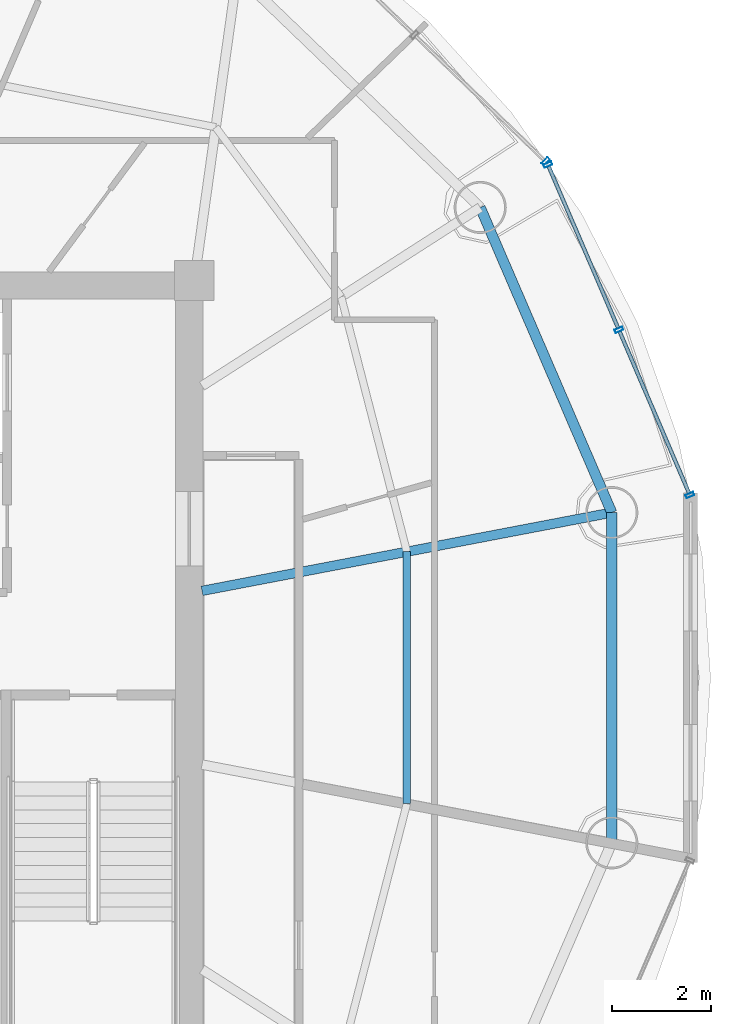
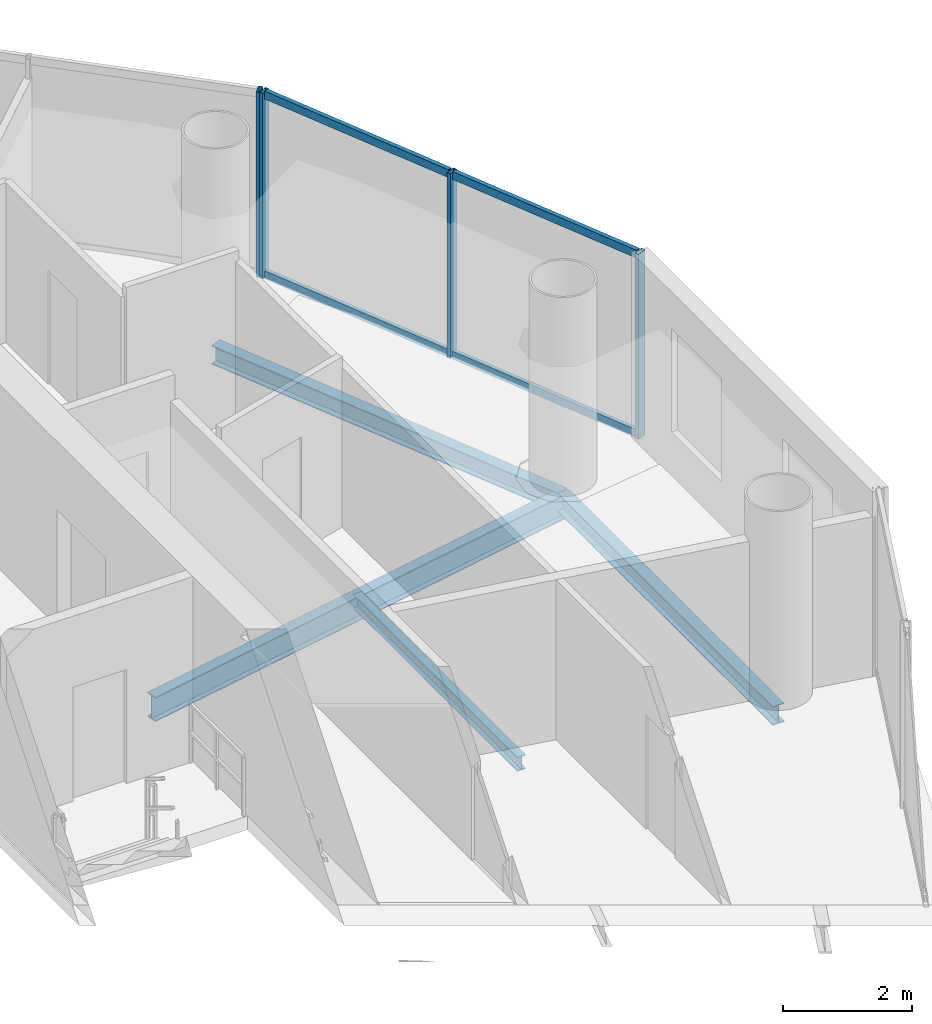
# One storey, part 11 of 23: 8 members, 4 beams, 2 elements without a shape of their own.
"""IFC4 building model written with IfcOpenShell, lengths in metres."""

from ifc_helpers import new_model, si_unit, direction, frame, origin, origin_2d, place, context, subcontext, project, spatial, hollow_rectangle, i_section, extrude, source, transform, mapped, material, material_profile, profile_set, type_object, element, aggregate, save


model = new_model("IFC4")

# Units and contexts
model_context = context("Model", 3, precision=1e-05, world=origin(), true_north=direction((-0.2419218956, 0.970295726276)))
body_context = subcontext(model_context, "Body", "Model", "MODEL_VIEW")
ifc_project = project(units=[si_unit("LENGTHUNIT", "METRE"), si_unit("AREAUNIT", "SQUARE_METRE"), si_unit("VOLUMEUNIT", "CUBIC_METRE"), si_unit("PLANEANGLEUNIT", "RADIAN"), si_unit("MASSUNIT", "GRAM", prefix="KILO")], contexts=[model_context])

# Site, building, storey
site_placement = place(None, origin())
site = spatial("IfcSite", under=ifc_project, at=site_placement, CompositionType="ELEMENT")
building_placement = place(site_placement, origin())
building = spatial("IfcBuilding", under=site, at=building_placement, Name="Cobrevalo Terracotta Tower", CompositionType="ELEMENT")
storey_placement = place(building_placement, frame((0.0, 0.0, 263.199951171875)))
storey = spatial("IfcBuildingStorey", under=building, at=storey_placement, Name="L69", CompositionType="ELEMENT", Elevation=263.199951171875)

# Beams
ifc_material_1 = material(Name="Steel S355", Category="steel")
ifc_material_profile_1 = material_profile(ifc_material_1, i_section(OverallWidth=0.19091796875, OverallDepth=0.4599609375, WebThickness=0.010009765625, FlangeThickness=0.01611328125, at=origin_2d()), Name="W 460x82")
ifc_profile_set_1 = profile_set([ifc_material_profile_1], Name="Steel S355")
beam_type_1 = type_object("IfcBeamType", Name="Structural Beam W 460x82 (Steel S355)", PredefinedType="BEAM", material=ifc_profile_set_1)
beam_1_placement = place(storey_placement, frame((55.408935546875, 30.126220703125, -0.489990234375), z_axis=(-0.982234917636, -0.187655446433, 0.0), x_axis=(0.187655446433, -0.982234917636, 0.0)))
element("IfcBeam", 1, at=beam_1_placement, inside=storey, type_object=beam_type_1, Name="L69 radial floor girder 01", PredefinedType="BEAM", context=body_context, shape_type="SweptSolid", body=[
    extrude(i_section(OverallWidth=0.19091796875, OverallDepth=0.4599609375, WebThickness=0.010009765625, FlangeThickness=0.01611328125, at=origin_2d()), origin(), (0.0, 0.0, 1.0), 8.403076171875),
])
ifc_material_profile_2 = material_profile(ifc_material_1, i_section(OverallWidth=0.14794921875, OverallDepth=0.26611328125, WebThickness=0.007568359375, FlangeThickness=0.012939453125, at=origin_2d()), Name="W 250x44.8")
ifc_profile_set_2 = profile_set([ifc_material_profile_2], Name="Steel S355")
beam_type_2 = type_object("IfcBeamType", Name="Structural Joist W 250x44.8 (Steel S355)", PredefinedType="JOIST", material=ifc_profile_set_2)
beam_2_placement = place(storey_placement, frame((51.281982421875, 24.26220703125, -0.39306640625), z_axis=(0.0, 1.0, 0.0), x_axis=(-1.0, 0.0, 0.0)))
element("IfcBeam", 2, at=beam_2_placement, inside=storey, type_object=beam_type_2, Name="L69 circumferential secondary floor joist 16", PredefinedType="JOIST", context=body_context, shape_type="SweptSolid", body=[
    extrude(i_section(OverallWidth=0.14794921875, OverallDepth=0.26611328125, WebThickness=0.007568359375, FlangeThickness=0.012939453125, at=origin_2d()), origin(), (0.0, 0.0, 1.0), 5.075439453125),
])
ifc_material_profile_3 = material_profile(ifc_material_1, i_section(OverallWidth=0.205078125, OverallDepth=0.35400390625, WebThickness=0.009521484375, FlangeThickness=0.016845703125, at=origin_2d()), Name="W 360x79")
ifc_profile_set_3 = profile_set([ifc_material_profile_3], Name="Steel S355")
beam_type_3 = type_object("IfcBeamType", Name="Structural Spandrel W 360x79 (Steel S355)", PredefinedType="SPANDREL", material=ifc_profile_set_3)
beam_3_placement = place(storey_placement, frame((55.408935546875, 30.126220703125, -0.43701171875), z_axis=(-0.395974127655, 0.918261667624, 0.0), x_axis=(-0.918261667624, -0.395974127655, 0.0)))
element("IfcBeam", 3, at=beam_3_placement, inside=storey, type_object=beam_type_3, Name="L69 perimeter ring spandrel 01", PredefinedType="SPANDREL", context=body_context, shape_type="SweptSolid", body=[
    extrude(i_section(OverallWidth=0.205078125, OverallDepth=0.35400390625, WebThickness=0.009521484375, FlangeThickness=0.016845703125, at=origin_2d()), origin(), (0.0, 0.0, 1.0), 6.693359375),
])
beam_4_placement = place(storey_placement, frame((55.408935546875, 23.4736328125, -0.43701171875), z_axis=(0.0, 1.0, 0.0), x_axis=(-1.0, 0.0, 0.0)))
element("IfcBeam", 4, at=beam_4_placement, inside=storey, type_object=beam_type_3, Name="L69 perimeter ring spandrel 16", PredefinedType="SPANDREL", context=body_context, shape_type="SweptSolid", body=[
    extrude(i_section(OverallWidth=0.205078125, OverallDepth=0.35400390625, WebThickness=0.009521484375, FlangeThickness=0.016845703125, at=origin_2d()), origin(), (0.0, 0.0, 1.0), 6.652587890625),
])

# Curtain wall, members
ifc_material_2 = material(Name="Anodized aluminium", Category="aluminium")
curtain_wall_type = type_object("IfcCurtainWallType", Name="Upper-tower triple-glazed penthouse curtain wall CW-U3", PredefinedType="NOTDEFINED", material=ifc_material_2)
curtain_wall_1_placement = place(storey_placement, origin())
curtain_wall_1 = element("IfcCurtainWall", 5, at=curtain_wall_1_placement, inside=storey, type_object=curtain_wall_type, Name="L69 curtain wall CW-L69-S01", PredefinedType="NOTDEFINED")
ifc_material_profile_4 = material_profile(ifc_material_2, hollow_rectangle(XDim=0.070068359375, YDim=0.169921875, WallThickness=0.00439453125, at=origin_2d()), Name="CWM 70x170")
ifc_profile_set_4 = profile_set([ifc_material_profile_4], Name="Anodized aluminium")
member_type_1 = type_object("IfcMemberType", Name="Upper tower unitised mullion 70x170", PredefinedType="MULLION", material=ifc_profile_set_4)
shared_shape_1 = source(origin(), body_context, "Body", "SweptSolid", [
    extrude(hollow_rectangle(XDim=0.070068359375, YDim=0.169921875, WallThickness=0.00439453125, at=origin_2d()), origin(), (0.0, 0.0, 1.0), 3.489990234375),
])
member_1_placement = place(storey_placement, frame((56.98193359375, 30.47900390625, 0.0), z_axis=(0.0, 0.0, 1.0), x_axis=(-0.39482403454, 0.91875675875, 0.0)))
member_1 = element("IfcMember", 6, at=member_1_placement, type_object=member_type_1, Name="CW-L69-S01 vertical mullion 01", PredefinedType="MULLION", context=body_context, shape_type="MappedRepresentation", body=[
    mapped(shared_shape_1, transform((0.0, 0.0, 0.0), scale=1.0)),
])
member_2_placement = place(storey_placement, frame((55.5517578125, 33.807373046875, 0.0), z_axis=(0.0, 0.0, 1.0), x_axis=(-0.39482403454, 0.91875675875, 0.0)))
member_2 = element("IfcMember", 7, at=member_2_placement, type_object=member_type_1, Name="CW-L69-S01 vertical mullion 02", PredefinedType="MULLION", context=body_context, shape_type="MappedRepresentation", body=[
    mapped(shared_shape_1, transform((0.0, 0.0, 0.0), scale=1.0)),
])
member_3_placement = place(storey_placement, frame((54.121337890625, 37.1357421875, 0.0), z_axis=(0.0, 0.0, 1.0), x_axis=(-0.39482403454, 0.91875675875, 0.0)))
member_3 = element("IfcMember", 8, at=member_3_placement, type_object=member_type_1, Name="CW-L69-S01 vertical mullion 03", PredefinedType="MULLION", context=body_context, shape_type="MappedRepresentation", body=[
    mapped(shared_shape_1, transform((0.0, 0.0, 0.0), scale=1.0)),
])

# Curtain wall, member
curtain_wall_2_placement = place(storey_placement, origin())
curtain_wall_2 = element("IfcCurtainWall", 9, at=curtain_wall_2_placement, inside=storey, type_object=curtain_wall_type, Name="L69 curtain wall CW-L69-S02", PredefinedType="NOTDEFINED")
member_4_placement = place(storey_placement, frame((54.07666015625, 37.2001953125, 0.0), z_axis=(0.0, 0.0, 1.0), x_axis=(-0.71999418085, 0.69398010025, 0.0)))
member_4 = element("IfcMember", 10, at=member_4_placement, type_object=member_type_1, Name="CW-L69-S02 vertical mullion 01", PredefinedType="MULLION", context=body_context, shape_type="MappedRepresentation", body=[
    mapped(shared_shape_1, transform((0.0, 0.0, 0.0), scale=1.0)),
])
aggregate(curtain_wall_2, [member_4])

# Member
ifc_material_profile_5 = material_profile(ifc_material_2, hollow_rectangle(XDim=0.074951171875, YDim=0.14990234375, WallThickness=0.00439453125, at=origin_2d()), Name="CWT 75x150")
ifc_profile_set_5 = profile_set([ifc_material_profile_5], Name="Anodized aluminium")
member_type_2 = type_object("IfcMemberType", Name="Tower unitised aluminium transom 75x150", PredefinedType="USERDEFINED", material=ifc_profile_set_5)
shared_shape_2 = source(origin(), body_context, "Body", "SweptSolid", [
    extrude(hollow_rectangle(XDim=0.074951171875, YDim=0.14990234375, WallThickness=0.00439453125, at=origin_2d()), origin(), (0.0, 0.0, 1.0), 3.54248046875),
])
member_5_placement = place(storey_placement, frame((55.535888671875, 33.84423828125, 0.050048828125), z_axis=(-0.394834055841, 0.918752452159, 0.0), x_axis=(-0.918752452159, -0.394834055841, 0.0)))
member_5 = element("IfcMember", 11, at=member_5_placement, type_object=member_type_2, Name="CW-L69-S01 transom B02-T1", ObjectType="TRANSOM", PredefinedType="USERDEFINED", context=body_context, shape_type="MappedRepresentation", body=[
    mapped(shared_shape_2, transform((0.0, 0.0, 0.0), scale=1.0)),
])

member_6_placement = place(storey_placement, frame((55.535888671875, 33.84423828125, 3.43994140625), z_axis=(-0.394834055841, 0.918752452159, 0.0), x_axis=(-0.918752452159, -0.394834055841, 0.0)))
member_6 = element("IfcMember", 12, at=member_6_placement, type_object=member_type_2, Name="CW-L69-S01 transom B02-T2", ObjectType="TRANSOM", PredefinedType="USERDEFINED", context=body_context, shape_type="MappedRepresentation", body=[
    mapped(shared_shape_2, transform((0.0, 0.0, 0.0), scale=1.0)),
])

shared_shape_3 = source(origin(), body_context, "Body", "SweptSolid", [
    extrude(hollow_rectangle(XDim=0.074951171875, YDim=0.14990234375, WallThickness=0.00439453125, at=origin_2d()), origin(), (0.0, 0.0, 1.0), 3.542724609375),
])
member_7_placement = place(storey_placement, frame((56.96630859375, 30.515869140625, 0.050048828125), z_axis=(-0.394867226589, 0.918738196314, 0.0), x_axis=(-0.918738196314, -0.394867226589, 0.0)))
member_7 = element("IfcMember", 13, at=member_7_placement, type_object=member_type_2, Name="CW-L69-S01 transom B01-T1", ObjectType="TRANSOM", PredefinedType="USERDEFINED", context=body_context, shape_type="MappedRepresentation", body=[
    mapped(shared_shape_3, transform((0.0, 0.0, 0.0), scale=1.0)),
])

member_8_placement = place(storey_placement, frame((56.96630859375, 30.515869140625, 3.43994140625), z_axis=(-0.394867226589, 0.918738196314, 0.0), x_axis=(-0.918738196314, -0.394867226589, 0.0)))
member_8 = element("IfcMember", 14, at=member_8_placement, type_object=member_type_2, Name="CW-L69-S01 transom B01-T2", ObjectType="TRANSOM", PredefinedType="USERDEFINED", context=body_context, shape_type="MappedRepresentation", body=[
    mapped(shared_shape_3, transform((0.0, 0.0, 0.0), scale=1.0)),
])

aggregate(curtain_wall_1, [member_1, member_2, member_3, member_7, member_8, member_5, member_6])

save(model, "model.ifc")
